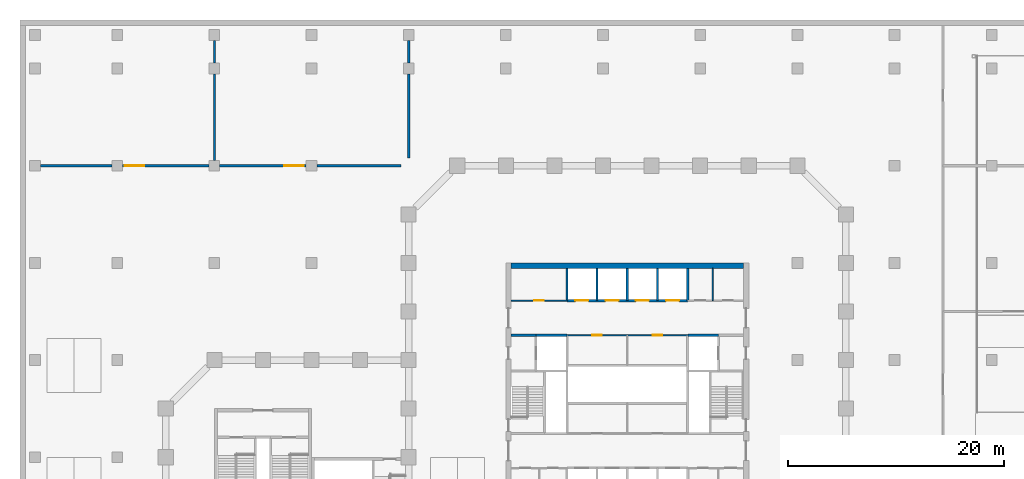
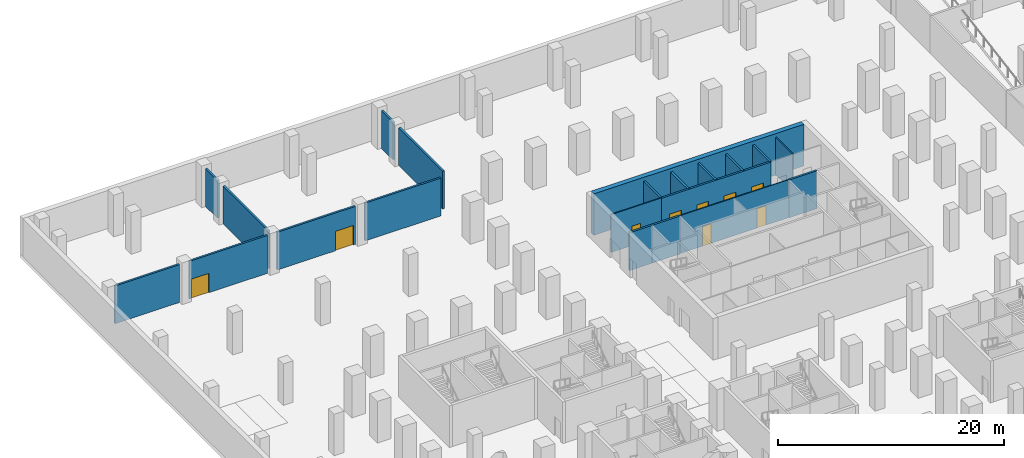
# One storey, part 11 of 16: 21 walls, 9 doors, 9 openings.
"""IFC4 building model written with IfcOpenShell, lengths in metres."""

from ifc_helpers import new_model, si_unit, direction, frame, frame_2d, origin, place, context, subcontext, project, spatial, rectangle, extrude, material, layer, layer_set, type_object, element, fill, save


model = new_model("IFC4")

# Units and contexts
model_context = context("Model", 3, precision=1e-05, world=origin(), true_north=direction((0.0, 1.0)))
body_context = subcontext(model_context, "Body", "Model", "MODEL_VIEW")
ifc_project = project(units=[si_unit("LENGTHUNIT", "METRE"), si_unit("AREAUNIT", "SQUARE_METRE"), si_unit("VOLUMEUNIT", "CUBIC_METRE"), si_unit("PLANEANGLEUNIT", "RADIAN"), si_unit("MASSUNIT", "GRAM", prefix="KILO")], contexts=[model_context])

# Site, building, storey
site_placement = place(None, origin())
site = spatial("IfcSite", under=ifc_project, at=site_placement, CompositionType="ELEMENT")
building_placement = place(site_placement, origin())
building = spatial("IfcBuilding", under=site, at=building_placement, Name="Quoin Convention Tower", CompositionType="ELEMENT")
storey_placement = place(building_placement, frame((0.0, 0.0, -4.5)))
storey = spatial("IfcBuildingStorey", under=building, at=storey_placement, Name="B1", CompositionType="ELEMENT", Elevation=-4.5)

# Wall, openings, doors
ifc_material_1 = material(Name="Plasterboard")
ifc_layer_1 = layer(ifc_material_1, 0.012451171875, Name="Finish")
ifc_material_2 = material(Name="Steel stud framing", Category="steel")
ifc_layer_2 = layer(ifc_material_2, 0.074951171875, Name="Structure")
ifc_layer_3 = layer(ifc_material_1, 0.012451171875, Name="Finish")
ifc_layer_set_1 = layer_set([ifc_layer_1, ifc_layer_2, ifc_layer_3], Name="Steel stud framing")
wall_type_1 = type_object("IfcWallType", Name="Core partition wall", PredefinedType="PARTITIONING", material=ifc_layer_set_1)
wall_1_placement = place(storey_placement, frame((50.64990234375, 65.300048828125, 0.0), z_axis=(0.0, 0.0, 1.0), x_axis=(1.0, 0.0, 0.0)))
wall_1 = element("IfcWall", 1, at=wall_1_placement, inside=storey, type_object=wall_type_1, Name="cr-C1-B1-h15800_5650", PredefinedType="PARTITIONING", context=body_context, shape_type="SweptSolid", body=[
    extrude(rectangle(XDim=11.2001953125, YDim=0.10009765625, at=frame_2d((5.60009765625, 0.0))), origin(), (0.0, 0.0, 1.0), 4.10009765625),
])
opening_1_placement = place(wall_1_placement, frame((2.35009765625, 0.0, 0.0)))
opening_1 = element("IfcOpeningElement", 2, at=opening_1_placement, cuts=wall_1, Name="Opening DCV0-01", PredefinedType="OPENING", context=body_context, shape_type="SweptSolid", body=[
    extrude(rectangle(XDim=0.89990234375, YDim=2.10009765625, at=frame_2d((0.449951171875, 1.050048828125))), frame((0.0, 0.06005859375, 0.0), z_axis=(0.0, -1.0, 0.0), x_axis=(1.0, 0.0, 0.0)), (0.0, 0.0, 1.0), 0.1201171875),
])
opening_2_placement = place(wall_1_placement, frame((7.949951171875, 0.0, 0.0)))
opening_2 = element("IfcOpeningElement", 3, at=opening_2_placement, cuts=wall_1, Name="Opening DCV0-03", PredefinedType="OPENING", context=body_context, shape_type="SweptSolid", body=[
    extrude(rectangle(XDim=0.89990234375, YDim=2.10009765625, at=frame_2d((0.449951171875, 1.050048828125))), frame((0.0, 0.06005859375, 0.0), z_axis=(0.0, -1.0, 0.0), x_axis=(1.0, 0.0, 0.0)), (0.0, 0.0, 1.0), 0.1201171875),
])
ifc_material_3 = material(Name="Steel door leaf", Category="steel")
door_type_1 = type_object("IfcDoorType", Name="Core room door 900 x 2100", OperationType="SINGLE_SWING_LEFT", PredefinedType="DOOR", material=ifc_material_3)
door_1_placement = place(opening_1_placement, frame((0.89990234375, 0.0, 0.0), z_axis=(0.0, 0.0, 1.0), x_axis=(-1.0, 0.0, 0.0)))
door_1 = element("IfcDoor", 4, at=door_1_placement, inside=storey, type_object=door_type_1, Name="cd-C1-B1-F30-lobB-CDB116", OperationType="SINGLE_SWING_RIGHT", OverallHeight=2.10009765625, OverallWidth=0.89990234375, PredefinedType="DOOR", context=body_context, shape_type="SweptSolid", body=[
    extrude(rectangle(XDim=0.89990234375, YDim=2.10009765625, at=frame_2d((0.449951171875, 1.050048828125))), frame((0.0, 0.02490234375, 0.0), z_axis=(0.0, -1.0, 0.0), x_axis=(1.0, 0.0, 0.0)), (0.0, 0.0, 1.0), 0.050048828125),
])
fill(opening_1, door_1)
door_2_placement = place(opening_2_placement, frame((0.89990234375, 0.0, 0.0), z_axis=(0.0, 0.0, 1.0), x_axis=(-1.0, 0.0, 0.0)))
door_2 = element("IfcDoor", 5, at=door_2_placement, inside=storey, type_object=door_type_1, Name="cd-C1-B1-F31-lobB-CDB117", OperationType="SINGLE_SWING_LEFT", OverallHeight=2.10009765625, OverallWidth=0.89990234375, PredefinedType="DOOR", context=body_context, shape_type="SweptSolid", body=[
    extrude(rectangle(XDim=0.89990234375, YDim=2.10009765625, at=frame_2d((0.449951171875, 1.050048828125))), frame((0.0, 0.02490234375, 0.0), z_axis=(0.0, -1.0, 0.0), x_axis=(1.0, 0.0, 0.0)), (0.0, 0.0, 1.0), 0.050048828125),
])
fill(opening_2, door_2)

# Wall, opening, door
wall_2_placement = place(storey_placement, frame((45.5, 68.5, 0.0), z_axis=(0.0, 0.0, 1.0), x_axis=(1.0, 0.0, 0.0)))
wall_2 = element("IfcWall", 6, at=wall_2_placement, inside=storey, type_object=wall_type_1, Name="cr-C1-B1-h19000_500", PredefinedType="PARTITIONING", context=body_context, shape_type="SweptSolid", body=[
    extrude(rectangle(XDim=5.14990234375, YDim=0.10009765625, at=frame_2d((2.574951171875, 0.0))), origin(), (0.0, 0.0, 1.0), 4.10009765625),
])
opening_3_placement = place(wall_2_placement, frame((2.125, 0.0, 0.0)))
opening_3 = element("IfcOpeningElement", 7, at=opening_3_placement, cuts=wall_2, Name="Opening DCV0-24", PredefinedType="OPENING", context=body_context, shape_type="SweptSolid", body=[
    extrude(rectangle(XDim=0.89990234375, YDim=2.10009765625, at=frame_2d((0.449951171875, 1.050048828125))), frame((0.0, 0.06005859375, 0.0), z_axis=(0.0, -1.0, 0.0), x_axis=(1.0, 0.0, 0.0)), (0.0, 0.0, 1.0), 0.1201171875),
])
door_3_placement = place(opening_3_placement, origin())
door_3 = element("IfcDoor", 8, at=door_3_placement, inside=storey, type_object=door_type_1, Name="cd-C1-B1-CNW0-lobB-CDB109", OperationType="SINGLE_SWING_RIGHT", OverallHeight=2.10009765625, OverallWidth=0.89990234375, PredefinedType="DOOR", context=body_context, shape_type="SweptSolid", body=[
    extrude(rectangle(XDim=0.89990234375, YDim=2.10009765625, at=frame_2d((0.449951171875, 1.050048828125))), frame((0.0, 0.02490234375, 0.0), z_axis=(0.0, -1.0, 0.0), x_axis=(1.0, 0.0, 0.0)), (0.0, 0.0, 1.0), 0.050048828125),
])
fill(opening_3, door_3)

# Walls
wall_3_placement = place(storey_placement, frame((64.16748046875, 68.5, 0.0), z_axis=(0.0, 0.0, 1.0), x_axis=(0.0, 1.0, 0.0)))
element("IfcWall", 9, at=wall_3_placement, inside=storey, type_object=wall_type_1, Name="cr-C1-B1-v19168_19000", PredefinedType="PARTITIONING", context=body_context, shape_type="SweptSolid", body=[
    extrude(rectangle(XDim=3.0, YDim=0.10009765625, at=frame_2d((1.5, 0.0))), origin(), (0.0, 0.0, 1.0), 4.10009765625),
])
ifc_material_4 = material(Name="Concrete C50", Category="concrete")
ifc_layer_4 = layer(ifc_material_4, 0.199951171875)
ifc_layer_set_2 = layer_set([ifc_layer_4], Name="Concrete C50")
wall_type_2 = type_object("IfcWallType", Name="Core shaft wall", PredefinedType="SOLIDWALL", material=ifc_layer_set_2)
wall_4_placement = place(storey_placement, frame((45.5, 65.300048828125, 0.0), z_axis=(0.0, 0.0, 1.0), x_axis=(1.0, 0.0, 0.0)))
element("IfcWall", 10, at=wall_4_placement, inside=storey, type_object=wall_type_2, Name="cr-C1-B1-h15800_500", PredefinedType="SOLIDWALL", context=body_context, shape_type="SweptSolid", body=[
    extrude(rectangle(XDim=2.300048828125, YDim=0.199951171875, at=frame_2d((1.14990234375, 0.0))), origin(), (0.0, 0.0, 1.0), 4.10009765625),
])
for number, where, z_axis, x_axis, name in (
    (11, (47.800048828125, 65.300048828125, 0.0), (0.0, 0.0, 1.0), (1.0, 0.0, 0.0), "cr-C1-B1-h15800_2800"),
    (12, (61.85009765625, 65.300048828125, 0.0), (0.0, 0.0, 1.0), (1.0, 0.0, 0.0), "cr-C1-B1-h15800_16850"),
):
    element("IfcWall", number, at=place(storey_placement, frame(where, z_axis=z_axis, x_axis=x_axis)), inside=storey, type_object=wall_type_2, Name=name, PredefinedType="SOLIDWALL", context=body_context, shape_type="SweptSolid", body=[
        extrude(rectangle(XDim=2.849853515625, YDim=0.199951171875, at=frame_2d((1.4248046875, 0.0))), origin(), (0.0, 0.0, 1.0), 4.10009765625),
    ])

# Wall, openings, doors
wall_5_placement = place(storey_placement, frame((50.64990234375, 68.5, 0.0), z_axis=(0.0, 0.0, 1.0), x_axis=(1.0, 0.0, 0.0)))
wall_5 = element("IfcWall", 13, at=wall_5_placement, inside=storey, type_object=wall_type_2, Name="cr-C1-B1-h19000_5650", PredefinedType="SOLIDWALL", context=body_context, shape_type="SweptSolid", body=[
    extrude(rectangle(XDim=11.2001953125, YDim=0.199951171875, at=frame_2d((5.60009765625, 0.0))), origin(), (0.0, 0.0, 1.0), 4.10009765625),
])
opening_4_placement = place(wall_5_placement, frame((0.800048828125, 0.0, 0.0)))
opening_4 = element("IfcOpeningElement", 14, at=opening_4_placement, cuts=wall_5, Name="Opening LDL5", PredefinedType="OPENING", context=body_context, shape_type="SweptSolid", body=[
    extrude(rectangle(XDim=1.199951171875, YDim=2.10009765625, at=frame_2d((0.60009765625, 1.050048828125))), frame((0.0, 0.10986328125, 0.0), z_axis=(0.0, -1.0, 0.0), x_axis=(1.0, 0.0, 0.0)), (0.0, 0.0, 1.0), 0.219970703125),
])
opening_5_placement = place(wall_5_placement, frame((3.60009765625, 0.0, 0.0)))
opening_5 = element("IfcOpeningElement", 15, at=opening_5_placement, cuts=wall_5, Name="Opening LDL6", PredefinedType="OPENING", context=body_context, shape_type="SweptSolid", body=[
    extrude(rectangle(XDim=1.199951171875, YDim=2.10009765625, at=frame_2d((0.60009765625, 1.050048828125))), frame((0.0, 0.10986328125, 0.0), z_axis=(0.0, -1.0, 0.0), x_axis=(1.0, 0.0, 0.0)), (0.0, 0.0, 1.0), 0.219970703125),
])
opening_6_placement = place(wall_5_placement, frame((6.39990234375, 0.0, 0.0)))
opening_6 = element("IfcOpeningElement", 16, at=opening_6_placement, cuts=wall_5, Name="Opening LDL7", PredefinedType="OPENING", context=body_context, shape_type="SweptSolid", body=[
    extrude(rectangle(XDim=1.199951171875, YDim=2.10009765625, at=frame_2d((0.60009765625, 1.050048828125))), frame((0.0, 0.10986328125, 0.0), z_axis=(0.0, -1.0, 0.0), x_axis=(1.0, 0.0, 0.0)), (0.0, 0.0, 1.0), 0.219970703125),
])
opening_7_placement = place(wall_5_placement, frame((9.199951171875, 0.0, 0.0)))
opening_7 = element("IfcOpeningElement", 17, at=opening_7_placement, cuts=wall_5, Name="Opening LDL8", PredefinedType="OPENING", context=body_context, shape_type="SweptSolid", body=[
    extrude(rectangle(XDim=1.199951171875, YDim=2.10009765625, at=frame_2d((0.60009765625, 1.050048828125))), frame((0.0, 0.10986328125, 0.0), z_axis=(0.0, -1.0, 0.0), x_axis=(1.0, 0.0, 0.0)), (0.0, 0.0, 1.0), 0.219970703125),
])
door_type_2 = type_object("IfcDoorType", Name="Lift landing door 1200 x 2100", OperationType="DOUBLE_DOOR_SLIDING", PredefinedType="DOOR", material=ifc_material_3)
door_4_placement = place(opening_4_placement, origin())
door_4 = element("IfcDoor", 18, at=door_4_placement, inside=storey, type_object=door_type_2, Name="cd-C1-B1-R40-lobB-LDL5", OperationType="DOUBLE_DOOR_SLIDING", OverallHeight=2.10009765625, OverallWidth=1.199951171875, PredefinedType="DOOR", context=body_context, shape_type="SweptSolid", body=[
    extrude(rectangle(XDim=1.199951171875, YDim=2.10009765625, at=frame_2d((0.60009765625, 1.050048828125))), frame((0.0, 0.02490234375, 0.0), z_axis=(0.0, -1.0, 0.0), x_axis=(1.0, 0.0, 0.0)), (0.0, 0.0, 1.0), 0.050048828125),
])
fill(opening_4, door_4)
door_5_placement = place(opening_5_placement, origin())
door_5 = element("IfcDoor", 19, at=door_5_placement, inside=storey, type_object=door_type_2, Name="cd-C1-B1-R41-lobB-LDL6", OperationType="DOUBLE_DOOR_SLIDING", OverallHeight=2.10009765625, OverallWidth=1.199951171875, PredefinedType="DOOR", context=body_context, shape_type="SweptSolid", body=[
    extrude(rectangle(XDim=1.199951171875, YDim=2.10009765625, at=frame_2d((0.60009765625, 1.050048828125))), frame((0.0, 0.02490234375, 0.0), z_axis=(0.0, -1.0, 0.0), x_axis=(1.0, 0.0, 0.0)), (0.0, 0.0, 1.0), 0.050048828125),
])
fill(opening_5, door_5)
door_6_placement = place(opening_6_placement, origin())
door_6 = element("IfcDoor", 20, at=door_6_placement, inside=storey, type_object=door_type_2, Name="cd-C1-B1-R42-lobB-LDL7", OperationType="DOUBLE_DOOR_SLIDING", OverallHeight=2.10009765625, OverallWidth=1.199951171875, PredefinedType="DOOR", context=body_context, shape_type="SweptSolid", body=[
    extrude(rectangle(XDim=1.199951171875, YDim=2.10009765625, at=frame_2d((0.60009765625, 1.050048828125))), frame((0.0, 0.02490234375, 0.0), z_axis=(0.0, -1.0, 0.0), x_axis=(1.0, 0.0, 0.0)), (0.0, 0.0, 1.0), 0.050048828125),
])
fill(opening_6, door_6)
door_7_placement = place(opening_7_placement, origin())
door_7 = element("IfcDoor", 21, at=door_7_placement, inside=storey, type_object=door_type_2, Name="cd-C1-B1-R43-lobB-LDL8", OperationType="DOUBLE_DOOR_SLIDING", OverallHeight=2.10009765625, OverallWidth=1.199951171875, PredefinedType="DOOR", context=body_context, shape_type="SweptSolid", body=[
    extrude(rectangle(XDim=1.199951171875, YDim=2.10009765625, at=frame_2d((0.60009765625, 1.050048828125))), frame((0.0, 0.02490234375, 0.0), z_axis=(0.0, -1.0, 0.0), x_axis=(1.0, 0.0, 0.0)), (0.0, 0.0, 1.0), 0.050048828125),
])
fill(opening_7, door_7)

# Walls
for number, where, z_axis, x_axis, name in (
    (22, (50.64990234375, 68.5, 0.0), (0.0, 0.0, 1.0), (0.0, 1.0, 0.0), "cr-C1-B1-v5650_19000"),
    (23, (53.449951171875, 68.5, 0.0), (0.0, 0.0, 1.0), (0.0, 1.0, 0.0), "cr-C1-B1-v8450_19000"),
    (24, (56.25, 68.5, 0.0), (0.0, 0.0, 1.0), (0.0, 1.0, 0.0), "cr-C1-B1-v11250_19000"),
    (25, (59.050048828125, 68.5, 0.0), (0.0, 0.0, 1.0), (0.0, 1.0, 0.0), "cr-C1-B1-v14050_19000"),
    (26, (61.85009765625, 68.5, 0.0), (0.0, 0.0, 1.0), (0.0, 1.0, 0.0), "cr-C1-B1-v16850_19000"),
):
    element("IfcWall", number, at=place(storey_placement, frame(where, z_axis=z_axis, x_axis=x_axis)), inside=storey, type_object=wall_type_2, Name=name, PredefinedType="SOLIDWALL", context=body_context, shape_type="SweptSolid", body=[
        extrude(rectangle(XDim=3.0, YDim=0.199951171875, at=frame_2d((1.5, 0.0))), origin(), (0.0, 0.0, 1.0), 4.10009765625),
    ])
ifc_layer_5 = layer(ifc_material_1, 0.012451171875, Name="Finish")
ifc_layer_6 = layer(ifc_material_2, 0.175048828125, Name="Structure")
ifc_layer_7 = layer(ifc_material_1, 0.012451171875, Name="Finish")
ifc_layer_set_3 = layer_set([ifc_layer_5, ifc_layer_6, ifc_layer_7], Name="Steel stud framing")
wall_type_3 = type_object("IfcWallType", Name="Plant room wall 200", PredefinedType="PARTITIONING", material=ifc_layer_set_3)
wall_6_placement = place(storey_placement, frame((1.89990234375, 81.0, 0.0), z_axis=(0.0, 0.0, 1.0), x_axis=(1.0, 0.0, 0.0)))
element("IfcWall", 27, at=wall_6_placement, inside=storey, type_object=wall_type_3, Name="pw-B1-021", PredefinedType="PARTITIONING", context=body_context, shape_type="SweptSolid", body=[
    extrude(rectangle(XDim=6.60009765625, YDim=0.199951171875, at=frame_2d((3.300048828125, 0.0))), origin(), (0.0, 0.0, 1.0), 4.10009765625),
])

# Wall, opening, door
wall_7_placement = place(storey_placement, frame((9.5, 81.0, 0.0), z_axis=(0.0, 0.0, 1.0), x_axis=(1.0, 0.0, 0.0)))
wall_7 = element("IfcWall", 28, at=wall_7_placement, inside=storey, type_object=wall_type_3, Name="pw-B1-022", PredefinedType="PARTITIONING", context=body_context, shape_type="SweptSolid", body=[
    extrude(rectangle(XDim=8.0, YDim=0.199951171875, at=frame_2d((4.0, 0.0))), origin(), (0.0, 0.0, 1.0), 4.10009765625),
])
opening_8_placement = place(wall_7_placement, frame((0.219970703125, 0.0, 0.0)))
opening_8 = element("IfcOpeningElement", 29, at=opening_8_placement, cuts=wall_7, Name="Opening DPDB1-09", PredefinedType="OPENING", context=body_context, shape_type="SweptSolid", body=[
    extrude(rectangle(XDim=1.800048828125, YDim=2.10009765625, at=frame_2d((0.89990234375, 1.050048828125))), frame((0.0, 0.10986328125, 0.0), z_axis=(0.0, -1.0, 0.0), x_axis=(1.0, 0.0, 0.0)), (0.0, 0.0, 1.0), 0.219970703125),
])
door_type_3 = type_object("IfcDoorType", Name="Plant door pair 1800", OperationType="DOUBLE_DOOR_SINGLE_SWING", PredefinedType="DOOR", material=ifc_material_3)
door_8_placement = place(opening_8_placement, frame((1.800048828125, 0.0, 0.0), z_axis=(0.0, 0.0, 1.0), x_axis=(-1.0, 0.0, 0.0)))
door_8 = element("IfcDoor", 30, at=door_8_placement, inside=storey, type_object=door_type_3, Name="dr-B1-006", OperationType="DOUBLE_DOOR_SINGLE_SWING", OverallHeight=2.10009765625, OverallWidth=1.800048828125, PredefinedType="DOOR", context=body_context, shape_type="SweptSolid", body=[
    extrude(rectangle(XDim=1.800048828125, YDim=2.10009765625, at=frame_2d((0.89990234375, 1.050048828125))), frame((0.0, 0.02490234375, 0.0), z_axis=(0.0, -1.0, 0.0), x_axis=(1.0, 0.0, 0.0)), (0.0, 0.0, 1.0), 0.050048828125),
])
fill(opening_8, door_8)

wall_8_placement = place(storey_placement, frame((18.5, 81.0, 0.0), z_axis=(0.0, 0.0, 1.0), x_axis=(1.0, 0.0, 0.0)))
wall_8 = element("IfcWall", 31, at=wall_8_placement, inside=storey, type_object=wall_type_3, Name="pw-B1-023", PredefinedType="PARTITIONING", context=body_context, shape_type="SweptSolid", body=[
    extrude(rectangle(XDim=8.0, YDim=0.199951171875, at=frame_2d((4.0, 0.0))), origin(), (0.0, 0.0, 1.0), 4.10009765625),
])
opening_9_placement = place(wall_8_placement, frame((5.97998046875, 0.0, 0.0)))
opening_9 = element("IfcOpeningElement", 32, at=opening_9_placement, cuts=wall_8, Name="Opening DPDB1-10", PredefinedType="OPENING", context=body_context, shape_type="SweptSolid", body=[
    extrude(rectangle(XDim=1.800048828125, YDim=2.10009765625, at=frame_2d((0.89990234375, 1.050048828125))), frame((0.0, 0.10986328125, 0.0), z_axis=(0.0, -1.0, 0.0), x_axis=(1.0, 0.0, 0.0)), (0.0, 0.0, 1.0), 0.219970703125),
])
door_9_placement = place(opening_9_placement, frame((1.800048828125, 0.0, 0.0), z_axis=(0.0, 0.0, 1.0), x_axis=(-1.0, 0.0, 0.0)))
door_9 = element("IfcDoor", 33, at=door_9_placement, inside=storey, type_object=door_type_3, Name="dr-B1-007", OperationType="DOUBLE_DOOR_SINGLE_SWING", OverallHeight=2.10009765625, OverallWidth=1.800048828125, PredefinedType="DOOR", context=body_context, shape_type="SweptSolid", body=[
    extrude(rectangle(XDim=1.800048828125, YDim=2.10009765625, at=frame_2d((0.89990234375, 1.050048828125))), frame((0.0, 0.02490234375, 0.0), z_axis=(0.0, -1.0, 0.0), x_axis=(1.0, 0.0, 0.0)), (0.0, 0.0, 1.0), 0.050048828125),
])
fill(opening_9, door_9)

# Walls
wall_9_placement = place(storey_placement, frame((27.5, 81.0, 0.0), z_axis=(0.0, 0.0, 1.0), x_axis=(1.0, 0.0, 0.0)))
element("IfcWall", 34, at=wall_9_placement, inside=storey, type_object=wall_type_3, Name="pw-B1-024", PredefinedType="PARTITIONING", context=body_context, shape_type="SweptSolid", body=[
    extrude(rectangle(XDim=7.780029296875, YDim=0.199951171875, at=frame_2d((3.89013671875, 0.0))), origin(), (0.0, 0.0, 1.0), 4.10009765625),
])
wall_10_placement = place(storey_placement, frame((18.0, 81.5, 0.0), z_axis=(0.0, 0.0, 1.0), x_axis=(0.0, 1.0, 0.0)))
element("IfcWall", 35, at=wall_10_placement, inside=storey, type_object=wall_type_3, Name="pw-B1-025", PredefinedType="PARTITIONING", context=body_context, shape_type="SweptSolid", body=[
    extrude(rectangle(XDim=8.0, YDim=0.199951171875, at=frame_2d((4.0, 0.0))), origin(), (0.0, 0.0, 1.0), 4.10009765625),
])
wall_11_placement = place(storey_placement, frame((18.0, 90.5, 0.0), z_axis=(0.0, 0.0, 1.0), x_axis=(0.0, 1.0, 0.0)))
element("IfcWall", 36, at=wall_11_placement, inside=storey, type_object=wall_type_3, Name="pw-B1-026", PredefinedType="PARTITIONING", context=body_context, shape_type="SweptSolid", body=[
    extrude(rectangle(XDim=2.10009765625, YDim=0.199951171875, at=frame_2d((1.050048828125, 0.0))), origin(), (0.0, 0.0, 1.0), 4.10009765625),
])
wall_12_placement = place(storey_placement, frame((36.0, 81.719970703125, 0.0), z_axis=(0.0, 0.0, 1.0), x_axis=(0.0, 1.0, 0.0)))
element("IfcWall", 37, at=wall_12_placement, inside=storey, type_object=wall_type_3, Name="pw-B1-027", PredefinedType="PARTITIONING", context=body_context, shape_type="SweptSolid", body=[
    extrude(rectangle(XDim=7.780029296875, YDim=0.199951171875, at=frame_2d((3.89013671875, 0.0))), origin(), (0.0, 0.0, 1.0), 4.10009765625),
])
wall_13_placement = place(storey_placement, frame((36.0, 90.5, 0.0), z_axis=(0.0, 0.0, 1.0), x_axis=(0.0, 1.0, 0.0)))
element("IfcWall", 38, at=wall_13_placement, inside=storey, type_object=wall_type_3, Name="pw-B1-028", PredefinedType="PARTITIONING", context=body_context, shape_type="SweptSolid", body=[
    extrude(rectangle(XDim=2.10009765625, YDim=0.199951171875, at=frame_2d((1.050048828125, 0.0))), origin(), (0.0, 0.0, 1.0), 4.10009765625),
])
ifc_material_5 = material(Name="Concrete C100 (100 MPa)", Category="concrete")
ifc_layer_8 = layer(ifc_material_5, 0.5)
ifc_layer_set_4 = layer_set([ifc_layer_8], Name="Concrete C100 (100 MPa)")
wall_type_4 = type_object("IfcWallType", Name="RC CORE WALL 500 C100", PredefinedType="SHEAR", material=ifc_layer_set_4)
wall_14_placement = place(storey_placement, frame((45.5, 71.75, 0.0), z_axis=(0.0, 0.0, 1.0), x_axis=(1.0, 0.0, 0.0)))
element("IfcWall", 39, at=wall_14_placement, inside=storey, type_object=wall_type_4, Name="cwl-C1-B1-N", PredefinedType="SHEAR", context=body_context, shape_type="SweptSolid", body=[
    extrude(rectangle(XDim=21.5, YDim=0.5, at=frame_2d((10.75, 0.0))), origin(), (0.0, 0.0, 1.0), 4.5),
])

save(model, "model.ifc")
